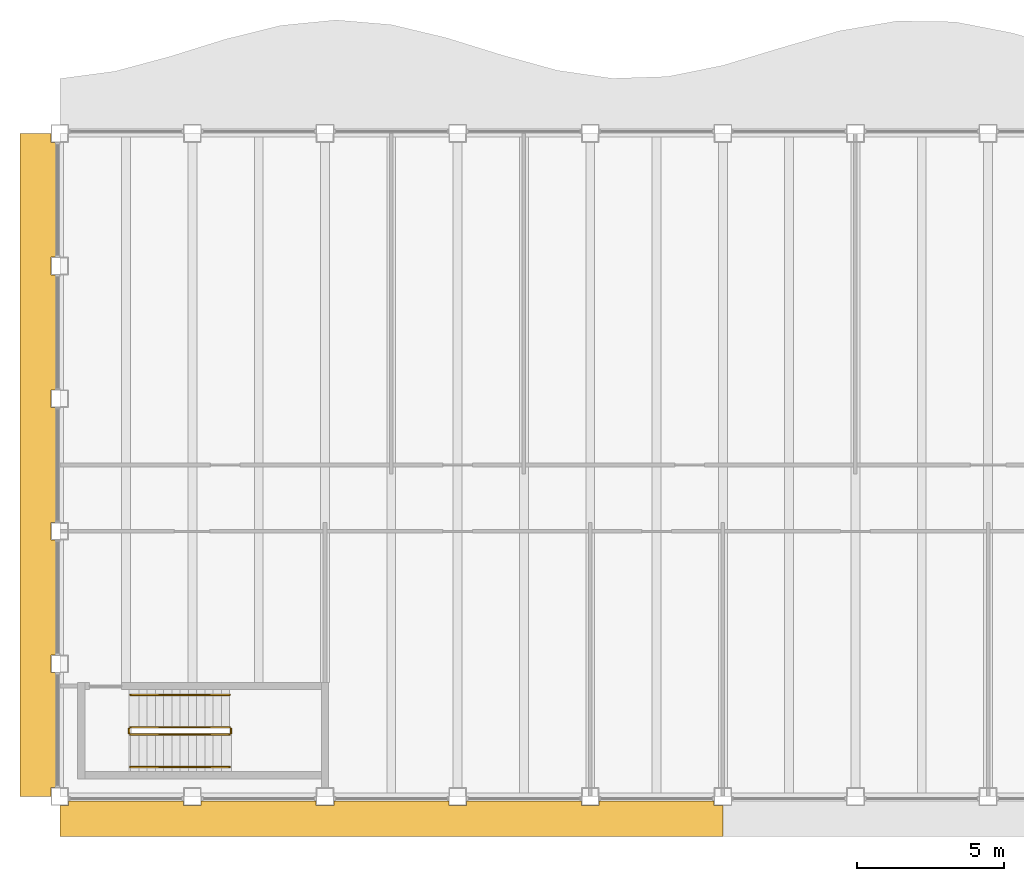
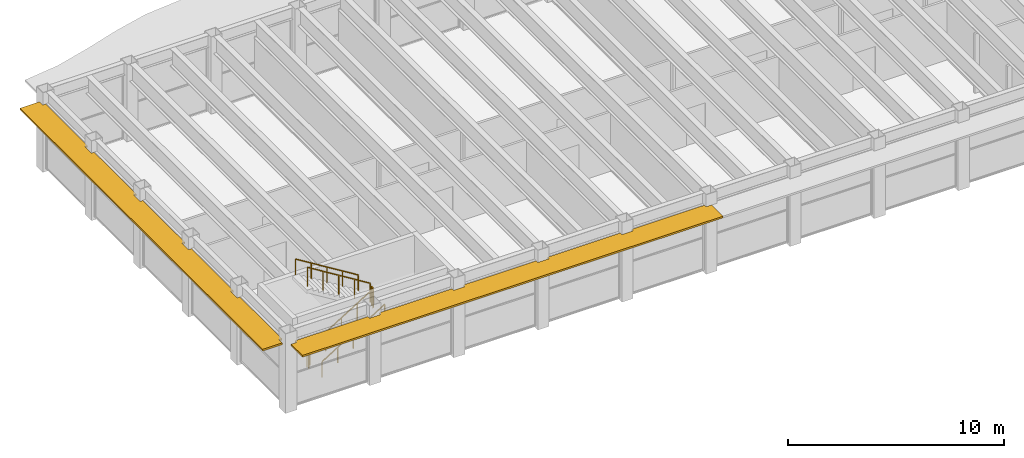
# One storey, part 12 of 14: 6 railings, 2 shading devices.
"""IFC4 building model written with IfcOpenShell, lengths in metres."""

from ifc_helpers import new_model, si_unit, direction, frame, origin, origin_2d, place, context, subcontext, project, spatial, polyline, rectangle, outline, extrude, material, layer, layer_set, type_object, element, save


model = new_model("IFC4")

# Units and contexts
model_context = context("Model", 3, precision=1e-05, world=origin(), true_north=direction((0.0, 1.0)))
body_context = subcontext(model_context, "Body", "Model", "MODEL_VIEW")
ifc_project = project(units=[si_unit("LENGTHUNIT", "METRE"), si_unit("AREAUNIT", "SQUARE_METRE"), si_unit("VOLUMEUNIT", "CUBIC_METRE"), si_unit("PLANEANGLEUNIT", "RADIAN"), si_unit("MASSUNIT", "GRAM", prefix="KILO")], contexts=[model_context])

# Site, building, storey
site_placement = place(None, origin())
site = spatial("IfcSite", under=ifc_project, at=site_placement, CompositionType="ELEMENT")
building_placement = place(site_placement, origin())
building = spatial("IfcBuilding", under=site, at=building_placement, Name="Sennacour Bend Tower", CompositionType="ELEMENT")
storey_placement = place(building_placement, frame((0.0, 0.0, 305.0)))
storey = spatial("IfcBuildingStorey", under=building, at=storey_placement, Name="L70", CompositionType="ELEMENT", Elevation=305.0)

# Railings
ifc_material_1 = material(Name="Stainless steel", Category="steel")
railing_type_1 = type_object("IfcRailingType", Name="RL-GUARD-1100", PredefinedType="GUARDRAIL", material=ifc_material_1)
railing_1_placement = place(storey_placement, frame((2.39990234375, 2.10009765625, 0.173095703125)))
element("IfcRailing", 1, at=railing_1_placement, inside=storey, type_object=railing_type_1, Name="L70 SK1 stair guard 1", PredefinedType="GUARDRAIL", context=body_context, shape_type="SweptSolid", body=[
    extrude(rectangle(XDim=0.048095703125, YDim=0.048095703125, at=origin_2d()), frame((0.0, 0.0, 1.076171875), z_axis=(0.850623216509, 0.0, 0.525775754039), x_axis=(0.0, 1.0, 0.0)), (0.0, 0.0, 1.0), 3.9501953125),
    extrude(rectangle(XDim=0.0419921875, YDim=0.0419921875, at=origin_2d()), origin(), (0.0, 0.0, 1.0), 1.052001953125),
    extrude(rectangle(XDim=0.0419921875, YDim=0.0419921875, at=origin_2d()), frame((0.840087890625, 0.0, 0.519287109375)), (0.0, 0.0, 1.0), 1.052001953125),
    extrude(rectangle(XDim=0.0419921875, YDim=0.0419921875, at=origin_2d()), frame((1.68017578125, 0.0, 1.03857421875)), (0.0, 0.0, 1.0), 1.052001953125),
    extrude(rectangle(XDim=0.0419921875, YDim=0.0419921875, at=origin_2d()), frame((2.52001953125, 0.0, 1.5576171875)), (0.0, 0.0, 1.0), 1.052001953125),
    extrude(rectangle(XDim=0.0419921875, YDim=0.0419921875, at=origin_2d()), frame((3.360107421875, 0.0, 2.076904296875)), (0.0, 0.0, 1.0), 1.052001953125),
])
railing_2_placement = place(storey_placement, frame((5.81005859375, 2.14990234375, 2.25)))
element("IfcRailing", 2, at=railing_2_placement, inside=storey, type_object=railing_type_1, Name="L70 SK1 stair guard 2", PredefinedType="GUARDRAIL", context=body_context, shape_type="SweptSolid", body=[
    extrude(rectangle(XDim=0.048095703125, YDim=0.048095703125, at=origin_2d()), frame((0.0, 0.0, 1.076171875), z_axis=(0.0, 1.0, 0.0), x_axis=(-1.0, 0.0, 0.0)), (0.0, 0.0, 1.0), 0.150146484375),
    extrude(rectangle(XDim=0.0419921875, YDim=0.0419921875, at=origin_2d()), origin(), (0.0, 0.0, 1.0), 1.052001953125),
    extrude(rectangle(XDim=0.0419921875, YDim=0.0419921875, at=origin_2d()), frame((0.0, 0.150146484375, 0.0)), (0.0, 0.0, 1.0), 1.052001953125),
])
railing_3_placement = place(storey_placement, frame((5.760009765625, 2.35009765625, 2.423095703125)))
element("IfcRailing", 3, at=railing_3_placement, inside=storey, type_object=railing_type_1, Name="L70 SK1 stair guard 3", PredefinedType="GUARDRAIL", context=body_context, shape_type="SweptSolid", body=[
    extrude(rectangle(XDim=0.048095703125, YDim=0.048095703125, at=origin_2d()), frame((0.0, 0.0, 1.076171875), z_axis=(-0.850623216509, 0.0, 0.525775754039), x_axis=(0.0, -1.0, 0.0)), (0.0, 0.0, 1.0), 3.9501953125),
    extrude(rectangle(XDim=0.0419921875, YDim=0.0419921875, at=origin_2d()), origin(), (0.0, 0.0, 1.0), 1.052001953125),
    extrude(rectangle(XDim=0.0419921875, YDim=0.0419921875, at=origin_2d()), frame((-0.840087890625, 0.0, 0.519287109375)), (0.0, 0.0, 1.0), 1.052001953125),
    extrude(rectangle(XDim=0.0419921875, YDim=0.0419921875, at=origin_2d()), frame((-1.68017578125, 0.0, 1.03857421875)), (0.0, 0.0, 1.0), 1.052001953125),
    extrude(rectangle(XDim=0.0419921875, YDim=0.0419921875, at=origin_2d()), frame((-2.52001953125, 0.0, 1.5576171875)), (0.0, 0.0, 1.0), 1.052001953125),
    extrude(rectangle(XDim=0.0419921875, YDim=0.0419921875, at=origin_2d()), frame((-3.360107421875, 0.0, 2.076904296875)), (0.0, 0.0, 1.0), 1.052001953125),
])
railing_4_placement = place(storey_placement, frame((2.35009765625, 2.14990234375, 0.0)))
element("IfcRailing", 4, at=railing_4_placement, inside=storey, type_object=railing_type_1, Name="L70 SK1 stair guard 4", PredefinedType="GUARDRAIL", context=body_context, shape_type="SweptSolid", body=[
    extrude(rectangle(XDim=0.048095703125, YDim=0.048095703125, at=origin_2d()), frame((0.0, 0.0, 1.076171875), z_axis=(0.0, 1.0, 0.0), x_axis=(-1.0, 0.0, 0.0)), (0.0, 0.0, 1.0), 0.150146484375),
    extrude(rectangle(XDim=0.0419921875, YDim=0.0419921875, at=origin_2d()), origin(), (0.0, 0.0, 1.0), 1.052001953125),
    extrude(rectangle(XDim=0.0419921875, YDim=0.0419921875, at=origin_2d()), frame((0.0, 0.150146484375, 0.0)), (0.0, 0.0, 1.0), 1.052001953125),
])
railing_type_2 = type_object("IfcRailingType", Name="RL-HANDRAIL-900", PredefinedType="HANDRAIL", material=ifc_material_1)
railing_5_placement = place(storey_placement, frame((2.39990234375, 1.0, 0.173095703125)))
element("IfcRailing", 5, at=railing_5_placement, inside=storey, type_object=railing_type_2, Name="L70 SK1 stair handrail 1", PredefinedType="HANDRAIL", context=body_context, shape_type="SweptSolid", body=[
    extrude(rectangle(XDim=0.048095703125, YDim=0.048095703125, at=origin_2d()), frame((0.0, 0.0, 0.8759765625), z_axis=(0.850623216509, 0.0, 0.525775754039), x_axis=(0.0, 1.0, 0.0)), (0.0, 0.0, 1.0), 3.9501953125),
    extrude(rectangle(XDim=0.0419921875, YDim=0.0419921875, at=origin_2d()), origin(), (0.0, 0.0, 1.0), 0.851806640625),
    extrude(rectangle(XDim=0.0419921875, YDim=0.0419921875, at=origin_2d()), frame((0.840087890625, 0.0, 0.519287109375)), (0.0, 0.0, 1.0), 0.851806640625),
    extrude(rectangle(XDim=0.0419921875, YDim=0.0419921875, at=origin_2d()), frame((1.68017578125, 0.0, 1.03857421875)), (0.0, 0.0, 1.0), 0.851806640625),
    extrude(rectangle(XDim=0.0419921875, YDim=0.0419921875, at=origin_2d()), frame((2.52001953125, 0.0, 1.5576171875)), (0.0, 0.0, 1.0), 0.851806640625),
    extrude(rectangle(XDim=0.0419921875, YDim=0.0419921875, at=origin_2d()), frame((3.360107421875, 0.0, 2.076904296875)), (0.0, 0.0, 1.0), 0.851806640625),
])
railing_6_placement = place(storey_placement, frame((5.760009765625, 3.449951171875, 2.423095703125)))
element("IfcRailing", 6, at=railing_6_placement, inside=storey, type_object=railing_type_2, Name="L70 SK1 stair handrail 2", PredefinedType="HANDRAIL", context=body_context, shape_type="SweptSolid", body=[
    extrude(rectangle(XDim=0.048095703125, YDim=0.048095703125, at=origin_2d()), frame((0.0, 0.0, 0.8759765625), z_axis=(-0.850623216509, 0.0, 0.525775754039), x_axis=(0.0, -1.0, 0.0)), (0.0, 0.0, 1.0), 3.9501953125),
    extrude(rectangle(XDim=0.0419921875, YDim=0.0419921875, at=origin_2d()), origin(), (0.0, 0.0, 1.0), 0.851806640625),
    extrude(rectangle(XDim=0.0419921875, YDim=0.0419921875, at=origin_2d()), frame((-0.840087890625, 0.0, 0.519287109375)), (0.0, 0.0, 1.0), 0.851806640625),
    extrude(rectangle(XDim=0.0419921875, YDim=0.0419921875, at=origin_2d()), frame((-1.68017578125, 0.0, 1.03857421875)), (0.0, 0.0, 1.0), 0.851806640625),
    extrude(rectangle(XDim=0.0419921875, YDim=0.0419921875, at=origin_2d()), frame((-2.52001953125, 0.0, 1.5576171875)), (0.0, 0.0, 1.0), 0.851806640625),
    extrude(rectangle(XDim=0.0419921875, YDim=0.0419921875, at=origin_2d()), frame((-3.360107421875, 0.0, 2.076904296875)), (0.0, 0.0, 1.0), 0.851806640625),
])

# Shading devices
ifc_material_2 = material(Name="Bronze anodised aluminium", Category="aluminium")
ifc_layer = layer(ifc_material_2, 0.10009765625, Name="Bronze anodised aluminium", Category="aluminium")
ifc_layer_set = layer_set([ifc_layer], Name="Bronze anodised aluminium")
shading_device_type = type_object("IfcShadingDeviceType", Name="SUNSHADE BAND STRAIGHT", PredefinedType="USERDEFINED", material=ifc_layer_set)
shading_device_1_placement = place(storey_placement, frame((0.0, 0.0, 3.572021484375)))
element("IfcShadingDevice", 7, at=shading_device_1_placement, inside=storey, type_object=shading_device_type, Name="Sunshade band L70 K outer face", ObjectType="SUNSHADE", PredefinedType="USERDEFINED", context=body_context, shape_type="SweptSolid", body=[
    extrude(outline(polyline([(4.199951171875, -0.14990234375), (4.199951171875, -0.300048828125), (4.800048828125, -0.300048828125), (4.800048828125, -0.14990234375), (8.699951171875, -0.14990234375), (8.699951171875, -0.300048828125), (9.300048828125, -0.300048828125), (9.300048828125, -0.14990234375), (13.199951171875, -0.14990234375), (13.199951171875, -0.300048828125), (13.800048828125, -0.300048828125), (13.800048828125, -0.14990234375), (17.699951171875, -0.14990234375), (17.699951171875, -0.300048828125), (18.300048828125, -0.300048828125), (18.300048828125, -0.14990234375), (22.199951171875, -0.14990234375), (22.199951171875, -0.300048828125), (22.5, -0.300048828125), (22.5, -1.35009765625), (0.0, -1.35009765625), (0.0, -0.300048828125), (0.300048828125, -0.300048828125), (0.300048828125, -0.14990234375), (4.199951171875, -0.14990234375)])), origin(), (0.0, 0.0, 1.0), 0.10009765625),
])
shading_device_2_placement = place(storey_placement, frame((0.0, 0.0, 3.572021484375)))
element("IfcShadingDevice", 8, at=shading_device_2_placement, inside=storey, type_object=shading_device_type, Name="Sunshade band L70 K outer face", ObjectType="SUNSHADE", PredefinedType="USERDEFINED", context=body_context, shape_type="SweptSolid", body=[
    extrude(outline(polyline([(-0.14990234375, 18.300048828125), (-0.300048828125, 18.300048828125), (-0.300048828125, 17.699951171875), (-0.14990234375, 17.699951171875), (-0.14990234375, 13.800048828125), (-0.300048828125, 13.800048828125), (-0.300048828125, 13.199951171875), (-0.14990234375, 13.199951171875), (-0.14990234375, 9.300048828125), (-0.300048828125, 9.300048828125), (-0.300048828125, 8.699951171875), (-0.14990234375, 8.699951171875), (-0.14990234375, 4.800048828125), (-0.300048828125, 4.800048828125), (-0.300048828125, 4.199951171875), (-0.14990234375, 4.199951171875), (-0.14990234375, 0.300048828125), (-0.300048828125, 0.300048828125), (-0.300048828125, 0.0), (-1.35009765625, 0.0), (-1.35009765625, 22.5), (-0.300048828125, 22.5), (-0.300048828125, 22.199951171875), (-0.14990234375, 22.199951171875), (-0.14990234375, 18.300048828125)])), origin(), (0.0, 0.0, 1.0), 0.10009765625),
])

save(model, "model.ifc")
